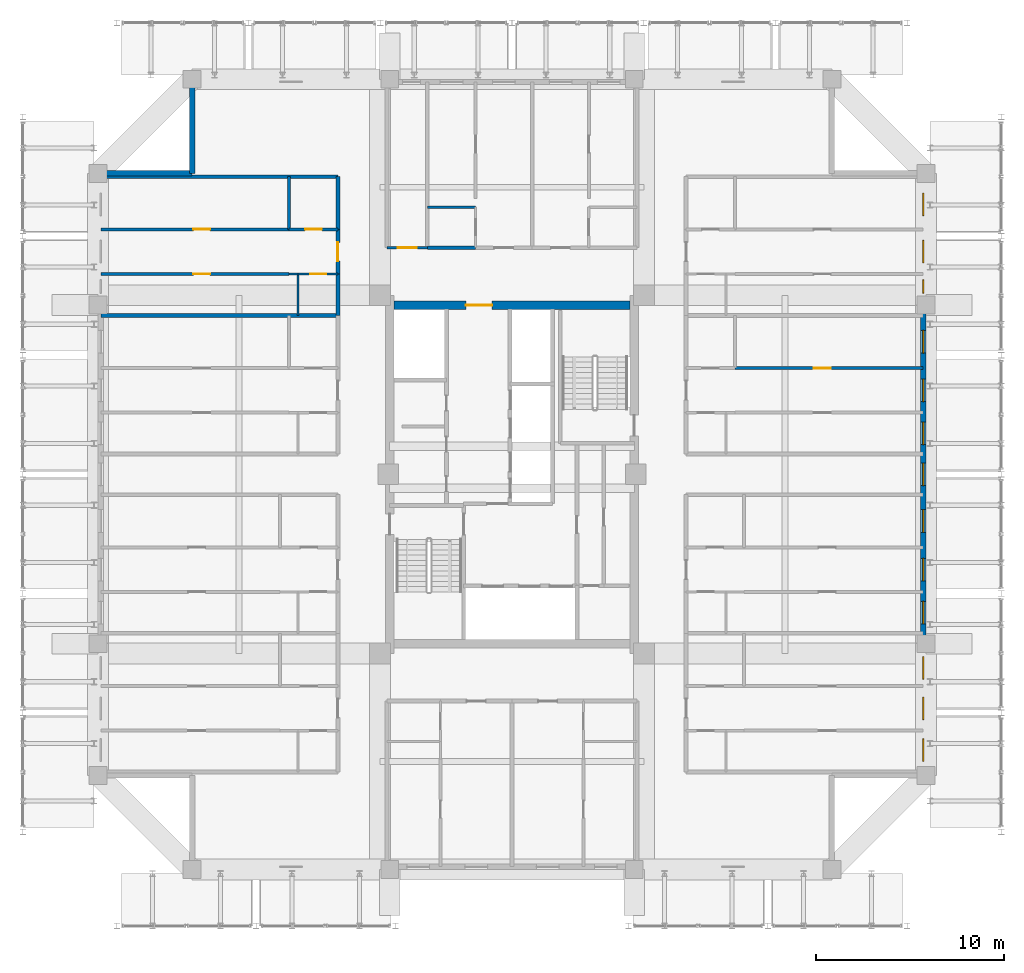
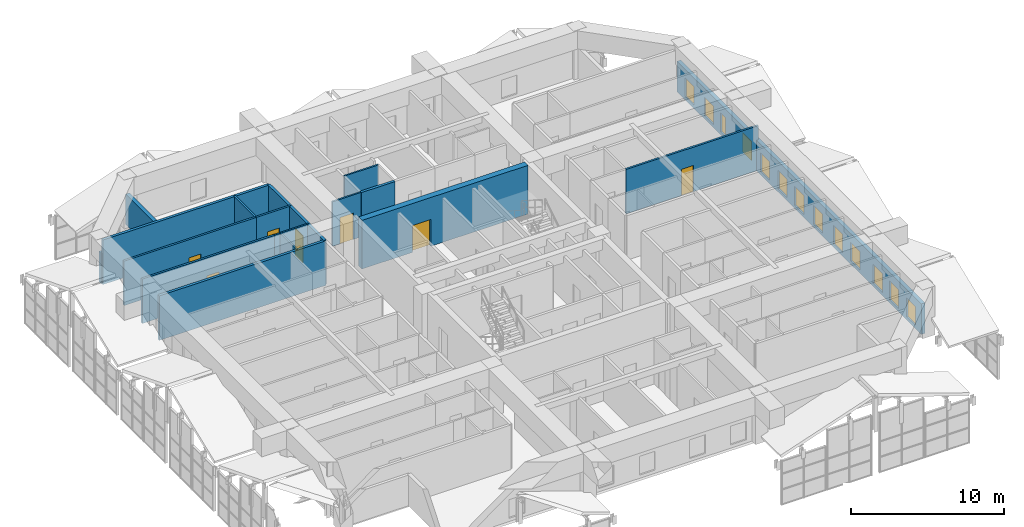
# One storey, part 41 of 45: 20 walls, 13 windows, 8 doors, 21 openings.
"""IFC4 building model written with IfcOpenShell, lengths in metres."""

from ifc_helpers import new_model, si_unit, direction, frame, frame_2d, origin, place, context, subcontext, project, spatial, rectangle, extrude, source, transform, mapped, material, layer, layer_set, type_object, element, fill, save


model = new_model("IFC4")

# Units and contexts
model_context = context("Model", 3, precision=1e-05, world=origin(), true_north=direction((0.0, 1.0)))
body_context = subcontext(model_context, "Body", "Model", "MODEL_VIEW")
ifc_project = project(units=[si_unit("LENGTHUNIT", "METRE"), si_unit("AREAUNIT", "SQUARE_METRE"), si_unit("VOLUMEUNIT", "CUBIC_METRE"), si_unit("PLANEANGLEUNIT", "RADIAN"), si_unit("MASSUNIT", "GRAM", prefix="KILO")], contexts=[model_context])

# Site, building, storey
site_placement = place(None, origin())
site = spatial("IfcSite", under=ifc_project, at=site_placement, CompositionType="ELEMENT")
building_placement = place(site_placement, origin())
building = spatial("IfcBuilding", under=site, at=building_placement, Name="Saelheon Loggia Tower", CompositionType="ELEMENT")
storey_placement = place(building_placement, frame((0.0, 0.0, 152.199951171875)))
storey = spatial("IfcBuildingStorey", under=building, at=storey_placement, Name="L48", CompositionType="ELEMENT", Elevation=152.199951171875)

# Wall, opening, door
ifc_material_1 = material(Name="Concrete C45/55", Category="concrete")
ifc_layer_1 = layer(ifc_material_1, 0.449951171875)
ifc_layer_set_1 = layer_set([ifc_layer_1], Name="Concrete C45/55")
wall_type_1 = type_object("IfcWallType", Name="Wall_CoreShear_450", PredefinedType="SHEAR", material=ifc_layer_set_1)
wall_1_placement = place(storey_placement, frame((31.72509765625, 36.0, 0.0), z_axis=(0.0, 0.0, 1.0), x_axis=(1.0, 0.0, 0.0)))
wall_1 = element("IfcWall", 1, at=wall_1_placement, inside=storey, type_object=wall_type_1, Name="L48 Core Shear Wall North", PredefinedType="SHEAR", context=body_context, shape_type="SweptSolid", body=[
    extrude(rectangle(XDim=12.5498046875, YDim=0.449951171875, at=frame_2d((6.27490234375, 0.0))), origin(), (0.0, 0.0, 1.0), 3.900146484375),
])
opening_1_placement = place(wall_1_placement, frame((5.224853515625, 0.0, 0.0), z_axis=(0.0, 0.0, 1.0), x_axis=(-1.0, 0.0, 0.0)))
opening_1 = element("IfcOpeningElement", 2, at=opening_1_placement, cuts=wall_1, Name="Opening D-FD2L", PredefinedType="OPENING", context=body_context, shape_type="SweptSolid", body=[
    extrude(rectangle(XDim=1.39990234375, YDim=2.14990234375, at=frame_2d((0.699951171875, 1.074951171875))), frame((0.0, 0.237060546875, 0.0), z_axis=(0.0, -1.0, 0.0), x_axis=(1.0, 0.0, 0.0)), (0.0, 0.0, 1.0), 0.473876953125),
])
ifc_material_2 = material(Name="Galvanised Steel Glazed Lobby Fire Door", Category="steel")
door_type_1 = type_object("IfcDoorType", Name="Door_Fire_FD60_1400", OperationType="NOTDEFINED", PredefinedType="DOOR", material=ifc_material_2)
shared_shape_1 = source(origin(), body_context, "Body", "SweptSolid", [
    extrude(rectangle(XDim=1.39990234375, YDim=2.14990234375, at=frame_2d((0.699951171875, 1.074951171875))), frame((0.0, 0.02490234375, 0.0), z_axis=(0.0, -1.0, 0.0), x_axis=(1.0, 0.0, 0.0)), (0.0, 0.0, 1.0), 0.050048828125),
])
door_1_placement = place(opening_1_placement, origin())
door_1 = element("IfcDoor", 3, at=door_1_placement, inside=storey, type_object=door_type_1, Name="L48 Passenger Lift Lobby Main Door", OperationType="SINGLE_SWING_RIGHT", OverallHeight=2.14990234375, OverallWidth=1.39990234375, PredefinedType="DOOR", context=body_context, shape_type="MappedRepresentation", body=[
    mapped(shared_shape_1, transform((0.0, 0.0, 0.0), scale=1.0)),
])
fill(opening_1, door_1)

# Wall, openings, windows
ifc_material_3 = material(Name="Architectural Precast Concrete C40/50", Category="concrete")
ifc_layer_2 = layer(ifc_material_3, 0.280029296875)
ifc_layer_set_2 = layer_set([ifc_layer_2], Name="Architectural Precast Concrete C40/50")
wall_type_2 = type_object("IfcWallType", Name="Wall_Ext_Loggia_280", PredefinedType="SOLIDWALL", material=ifc_layer_set_2)
wall_2_placement = place(storey_placement, frame((59.860107421875, 11.0, 0.0), z_axis=(0.0, 0.0, 1.0), x_axis=(0.0, 1.0, 0.0)))
wall_2 = element("IfcWall", 4, at=wall_2_placement, inside=storey, type_object=wall_type_2, Name="L48 East Loggia Inner Wall", PredefinedType="SOLIDWALL", context=body_context, shape_type="SweptSolid", body=[
    extrude(rectangle(XDim=32.0, YDim=0.280029296875, at=frame_2d((16.0, 0.0))), origin(), (0.0, 0.0, 1.0), 2.43994140625),
])
opening_2_placement = place(wall_2_placement, frame((0.74755859375, 0.0, 0.25)))
opening_2 = element("IfcOpeningElement", 5, at=opening_2_placement, cuts=wall_2, Name="Opening WN-03", PredefinedType="OPENING", context=body_context, shape_type="SweptSolid", body=[
    extrude(rectangle(XDim=1.199951171875, YDim=1.5, at=frame_2d((0.60009765625, 0.75))), frame((0.0, 0.152099609375, 0.0), z_axis=(0.0, -1.0, 0.0), x_axis=(1.0, 0.0, 0.0)), (0.0, 0.0, 1.0), 0.303955078125),
])
opening_3_placement = place(wall_2_placement, frame((2.964599609375, 0.0, 0.25)))
opening_3 = element("IfcOpeningElement", 6, at=opening_3_placement, cuts=wall_2, Name="Opening WN-03", PredefinedType="OPENING", context=body_context, shape_type="SweptSolid", body=[
    extrude(rectangle(XDim=1.199951171875, YDim=1.5, at=frame_2d((0.60009765625, 0.75))), frame((0.0, 0.152099609375, 0.0), z_axis=(0.0, -1.0, 0.0), x_axis=(1.0, 0.0, 0.0)), (0.0, 0.0, 1.0), 0.303955078125),
])
opening_4_placement = place(wall_2_placement, frame((5.1171875, 0.0, 0.25)))
opening_4 = element("IfcOpeningElement", 7, at=opening_4_placement, cuts=wall_2, Name="Opening WN-03", PredefinedType="OPENING", context=body_context, shape_type="SweptSolid", body=[
    extrude(rectangle(XDim=1.199951171875, YDim=1.5, at=frame_2d((0.60009765625, 0.75))), frame((0.0, 0.152099609375, 0.0), z_axis=(0.0, -1.0, 0.0), x_axis=(1.0, 0.0, 0.0)), (0.0, 0.0, 1.0), 0.303955078125),
])
opening_5_placement = place(wall_2_placement, frame((8.050048828125, 0.0, 0.25)))
opening_5 = element("IfcOpeningElement", 8, at=opening_5_placement, cuts=wall_2, Name="Opening WN-03", PredefinedType="OPENING", context=body_context, shape_type="SweptSolid", body=[
    extrude(rectangle(XDim=1.199951171875, YDim=1.5, at=frame_2d((0.60009765625, 0.75))), frame((0.0, 0.152099609375, 0.0), z_axis=(0.0, -1.0, 0.0), x_axis=(1.0, 0.0, 0.0)), (0.0, 0.0, 1.0), 0.303955078125),
])
opening_6_placement = place(wall_2_placement, frame((10.334716796875, 0.0, 0.25)))
opening_6 = element("IfcOpeningElement", 9, at=opening_6_placement, cuts=wall_2, Name="Opening WN-03", PredefinedType="OPENING", context=body_context, shape_type="SweptSolid", body=[
    extrude(rectangle(XDim=1.199951171875, YDim=1.5, at=frame_2d((0.60009765625, 0.75))), frame((0.0, 0.152099609375, 0.0), z_axis=(0.0, -1.0, 0.0), x_axis=(1.0, 0.0, 0.0)), (0.0, 0.0, 1.0), 0.303955078125),
])
opening_7_placement = place(wall_2_placement, frame((12.919677734375, 0.0, 0.25)))
opening_7 = element("IfcOpeningElement", 10, at=opening_7_placement, cuts=wall_2, Name="Opening WN-03", PredefinedType="OPENING", context=body_context, shape_type="SweptSolid", body=[
    extrude(rectangle(XDim=1.199951171875, YDim=1.5, at=frame_2d((0.60009765625, 0.75))), frame((0.0, 0.152099609375, 0.0), z_axis=(0.0, -1.0, 0.0), x_axis=(1.0, 0.0, 0.0)), (0.0, 0.0, 1.0), 0.303955078125),
])
opening_8_placement = place(wall_2_placement, frame((15.39990234375, 0.0, 0.25)))
opening_8 = element("IfcOpeningElement", 11, at=opening_8_placement, cuts=wall_2, Name="Opening WN-03", PredefinedType="OPENING", context=body_context, shape_type="SweptSolid", body=[
    extrude(rectangle(XDim=1.199951171875, YDim=1.5, at=frame_2d((0.60009765625, 0.75))), frame((0.0, 0.152099609375, 0.0), z_axis=(0.0, -1.0, 0.0), x_axis=(1.0, 0.0, 0.0)), (0.0, 0.0, 1.0), 0.303955078125),
])
opening_9_placement = place(wall_2_placement, frame((17.580078125, 0.0, 0.25)))
opening_9 = element("IfcOpeningElement", 12, at=opening_9_placement, cuts=wall_2, Name="Opening WN-03", PredefinedType="OPENING", context=body_context, shape_type="SweptSolid", body=[
    extrude(rectangle(XDim=1.199951171875, YDim=1.5, at=frame_2d((0.60009765625, 0.75))), frame((0.0, 0.152099609375, 0.0), z_axis=(0.0, -1.0, 0.0), x_axis=(1.0, 0.0, 0.0)), (0.0, 0.0, 1.0), 0.303955078125),
])
opening_10_placement = place(wall_2_placement, frame((19.86474609375, 0.0, 0.25)))
opening_10 = element("IfcOpeningElement", 13, at=opening_10_placement, cuts=wall_2, Name="Opening WN-03", PredefinedType="OPENING", context=body_context, shape_type="SweptSolid", body=[
    extrude(rectangle(XDim=1.199951171875, YDim=1.5, at=frame_2d((0.60009765625, 0.75))), frame((0.0, 0.152099609375, 0.0), z_axis=(0.0, -1.0, 0.0), x_axis=(1.0, 0.0, 0.0)), (0.0, 0.0, 1.0), 0.303955078125),
])
opening_11_placement = place(wall_2_placement, frame((22.44970703125, 0.0, 0.25)))
opening_11 = element("IfcOpeningElement", 14, at=opening_11_placement, cuts=wall_2, Name="Opening WN-03", PredefinedType="OPENING", context=body_context, shape_type="SweptSolid", body=[
    extrude(rectangle(XDim=1.199951171875, YDim=1.5, at=frame_2d((0.60009765625, 0.75))), frame((0.0, 0.152099609375, 0.0), z_axis=(0.0, -1.0, 0.0), x_axis=(1.0, 0.0, 0.0)), (0.0, 0.0, 1.0), 0.303955078125),
])
opening_12_placement = place(wall_2_placement, frame((25.632568359375, 0.0, 0.25)))
opening_12 = element("IfcOpeningElement", 15, at=opening_12_placement, cuts=wall_2, Name="Opening WN-06", PredefinedType="OPENING", context=body_context, shape_type="SweptSolid", body=[
    extrude(rectangle(XDim=0.699951171875, YDim=1.5, at=frame_2d((0.35009765625, 0.75))), frame((0.0, 0.152099609375, 0.0), z_axis=(0.0, -1.0, 0.0), x_axis=(1.0, 0.0, 0.0)), (0.0, 0.0, 1.0), 0.303955078125),
])
opening_13_placement = place(wall_2_placement, frame((27.234619140625, 0.0, 0.25)))
opening_13 = element("IfcOpeningElement", 16, at=opening_13_placement, cuts=wall_2, Name="Opening WN-03", PredefinedType="OPENING", context=body_context, shape_type="SweptSolid", body=[
    extrude(rectangle(XDim=1.199951171875, YDim=1.5, at=frame_2d((0.60009765625, 0.75))), frame((0.0, 0.152099609375, 0.0), z_axis=(0.0, -1.0, 0.0), x_axis=(1.0, 0.0, 0.0)), (0.0, 0.0, 1.0), 0.303955078125),
])
opening_14_placement = place(wall_2_placement, frame((29.752197265625, 0.0, 0.25)))
opening_14 = element("IfcOpeningElement", 17, at=opening_14_placement, cuts=wall_2, Name="Opening WN-03", PredefinedType="OPENING", context=body_context, shape_type="SweptSolid", body=[
    extrude(rectangle(XDim=1.199951171875, YDim=1.5, at=frame_2d((0.60009765625, 0.75))), frame((0.0, 0.152099609375, 0.0), z_axis=(0.0, -1.0, 0.0), x_axis=(1.0, 0.0, 0.0)), (0.0, 0.0, 1.0), 0.303955078125),
])
ifc_material_4 = material(Name="Thermal-Break Aluminium and Triple Low-E Glass", Category="aluminium")
window_type_1 = type_object("IfcWindowType", Name="Win_Slot_700x1500", PartitioningType="SINGLE_PANEL", PredefinedType="WINDOW", material=ifc_material_4)
shared_shape_2 = source(origin(), body_context, "Body", "SweptSolid", [
    extrude(rectangle(XDim=0.699951171875, YDim=1.5, at=frame_2d((0.35009765625, 0.75))), frame((0.0, 0.030029296875, 0.0), z_axis=(0.0, -1.0, 0.0), x_axis=(1.0, 0.0, 0.0)), (0.0, 0.0, 1.0), 0.06005859375),
])
window_1_placement = place(opening_12_placement, origin())
window_1 = element("IfcWindow", 18, at=window_1_placement, inside=storey, type_object=window_type_1, Name="L48 E Dwelling Window 11", OverallHeight=1.5, OverallWidth=0.699951171875, PartitioningType="SINGLE_PANEL", PredefinedType="WINDOW", context=body_context, shape_type="MappedRepresentation", body=[
    mapped(shared_shape_2, transform((0.0, 0.0, 0.0), scale=1.0)),
])
fill(opening_12, window_1)
window_type_2 = type_object("IfcWindowType", Name="Win_Bedroom_1200x1500", PartitioningType="SINGLE_PANEL", PredefinedType="WINDOW", material=ifc_material_4)
shared_shape_3 = source(origin(), body_context, "Body", "SweptSolid", [
    extrude(rectangle(XDim=1.199951171875, YDim=1.5, at=frame_2d((0.60009765625, 0.75))), frame((0.0, 0.030029296875, 0.0), z_axis=(0.0, -1.0, 0.0), x_axis=(1.0, 0.0, 0.0)), (0.0, 0.0, 1.0), 0.06005859375),
])
window_2_placement = place(opening_2_placement, origin())
window_2 = element("IfcWindow", 19, at=window_2_placement, inside=storey, type_object=window_type_2, Name="L48 E Dwelling Window 1", OverallHeight=1.5, OverallWidth=1.199951171875, PartitioningType="SINGLE_PANEL", PredefinedType="WINDOW", context=body_context, shape_type="MappedRepresentation", body=[
    mapped(shared_shape_3, transform((0.0, 0.0, 0.0), scale=1.0)),
])
fill(opening_2, window_2)
window_3_placement = place(opening_3_placement, origin())
window_3 = element("IfcWindow", 20, at=window_3_placement, inside=storey, type_object=window_type_2, Name="L48 E Dwelling Window 2", OverallHeight=1.5, OverallWidth=1.199951171875, PartitioningType="SINGLE_PANEL", PredefinedType="WINDOW", context=body_context, shape_type="MappedRepresentation", body=[
    mapped(shared_shape_3, transform((0.0, 0.0, 0.0), scale=1.0)),
])
fill(opening_3, window_3)
window_4_placement = place(opening_4_placement, origin())
window_4 = element("IfcWindow", 21, at=window_4_placement, inside=storey, type_object=window_type_2, Name="L48 E Dwelling Window 3", OverallHeight=1.5, OverallWidth=1.199951171875, PartitioningType="SINGLE_PANEL", PredefinedType="WINDOW", context=body_context, shape_type="MappedRepresentation", body=[
    mapped(shared_shape_3, transform((0.0, 0.0, 0.0), scale=1.0)),
])
fill(opening_4, window_4)
window_5_placement = place(opening_5_placement, origin())
window_5 = element("IfcWindow", 22, at=window_5_placement, inside=storey, type_object=window_type_2, Name="L48 E Dwelling Window 4", OverallHeight=1.5, OverallWidth=1.199951171875, PartitioningType="SINGLE_PANEL", PredefinedType="WINDOW", context=body_context, shape_type="MappedRepresentation", body=[
    mapped(shared_shape_3, transform((0.0, 0.0, 0.0), scale=1.0)),
])
fill(opening_5, window_5)
window_6_placement = place(opening_6_placement, origin())
window_6 = element("IfcWindow", 23, at=window_6_placement, inside=storey, type_object=window_type_2, Name="L48 E Dwelling Window 5", OverallHeight=1.5, OverallWidth=1.199951171875, PartitioningType="SINGLE_PANEL", PredefinedType="WINDOW", context=body_context, shape_type="MappedRepresentation", body=[
    mapped(shared_shape_3, transform((0.0, 0.0, 0.0), scale=1.0)),
])
fill(opening_6, window_6)
window_7_placement = place(opening_7_placement, origin())
window_7 = element("IfcWindow", 24, at=window_7_placement, inside=storey, type_object=window_type_2, Name="L48 E Dwelling Window 6", OverallHeight=1.5, OverallWidth=1.199951171875, PartitioningType="SINGLE_PANEL", PredefinedType="WINDOW", context=body_context, shape_type="MappedRepresentation", body=[
    mapped(shared_shape_3, transform((0.0, 0.0, 0.0), scale=1.0)),
])
fill(opening_7, window_7)
window_8_placement = place(opening_8_placement, origin())
window_8 = element("IfcWindow", 25, at=window_8_placement, inside=storey, type_object=window_type_2, Name="L48 E Dwelling Window 7", OverallHeight=1.5, OverallWidth=1.199951171875, PartitioningType="SINGLE_PANEL", PredefinedType="WINDOW", context=body_context, shape_type="MappedRepresentation", body=[
    mapped(shared_shape_3, transform((0.0, 0.0, 0.0), scale=1.0)),
])
fill(opening_8, window_8)
window_9_placement = place(opening_9_placement, origin())
window_9 = element("IfcWindow", 26, at=window_9_placement, inside=storey, type_object=window_type_2, Name="L48 E Dwelling Window 8", OverallHeight=1.5, OverallWidth=1.199951171875, PartitioningType="SINGLE_PANEL", PredefinedType="WINDOW", context=body_context, shape_type="MappedRepresentation", body=[
    mapped(shared_shape_3, transform((0.0, 0.0, 0.0), scale=1.0)),
])
fill(opening_9, window_9)
window_10_placement = place(opening_10_placement, origin())
window_10 = element("IfcWindow", 27, at=window_10_placement, inside=storey, type_object=window_type_2, Name="L48 E Dwelling Window 9", OverallHeight=1.5, OverallWidth=1.199951171875, PartitioningType="SINGLE_PANEL", PredefinedType="WINDOW", context=body_context, shape_type="MappedRepresentation", body=[
    mapped(shared_shape_3, transform((0.0, 0.0, 0.0), scale=1.0)),
])
fill(opening_10, window_10)
window_11_placement = place(opening_11_placement, origin())
window_11 = element("IfcWindow", 28, at=window_11_placement, inside=storey, type_object=window_type_2, Name="L48 E Dwelling Window 10", OverallHeight=1.5, OverallWidth=1.199951171875, PartitioningType="SINGLE_PANEL", PredefinedType="WINDOW", context=body_context, shape_type="MappedRepresentation", body=[
    mapped(shared_shape_3, transform((0.0, 0.0, 0.0), scale=1.0)),
])
fill(opening_11, window_11)
window_12_placement = place(opening_13_placement, origin())
window_12 = element("IfcWindow", 29, at=window_12_placement, inside=storey, type_object=window_type_2, Name="L48 E Dwelling Window 12", OverallHeight=1.5, OverallWidth=1.199951171875, PartitioningType="SINGLE_PANEL", PredefinedType="WINDOW", context=body_context, shape_type="MappedRepresentation", body=[
    mapped(shared_shape_3, transform((0.0, 0.0, 0.0), scale=1.0)),
])
fill(opening_13, window_12)
window_13_placement = place(opening_14_placement, origin())
window_13 = element("IfcWindow", 30, at=window_13_placement, inside=storey, type_object=window_type_2, Name="L48 E Dwelling Window 13", OverallHeight=1.5, OverallWidth=1.199951171875, PartitioningType="SINGLE_PANEL", PredefinedType="WINDOW", context=body_context, shape_type="MappedRepresentation", body=[
    mapped(shared_shape_3, transform((0.0, 0.0, 0.0), scale=1.0)),
])
fill(opening_14, window_13)

# Walls
for number, where, z_axis, x_axis, name in (
    (31, (21.0, 43.0, 0.0), (0.0, 0.0, 1.0), (0.0, 1.0, 0.0), "L48 Corner Notch Precast Wall NW1"),
    (32, (16.080078125, 43.0, 0.0), (0.0, 0.0, 1.0), (1.0, 0.0, 0.0), "L48 Corner Notch Precast Wall NW2"),
):
    element("IfcWall", number, at=place(storey_placement, frame(where, z_axis=z_axis, x_axis=x_axis)), inside=storey, type_object=wall_type_2, Name=name, PredefinedType="SOLIDWALL", context=body_context, shape_type="SweptSolid", body=[
        extrude(rectangle(XDim=4.919921875, YDim=0.280029296875, at=frame_2d((2.4599609375, 0.0))), origin(), (0.0, 0.0, 1.0), 2.43994140625),
    ])
ifc_material_5 = material(Name="Lightweight Autoclaved Aerated Concrete Block and Acoustic Gypsum", Category="concrete")
ifc_layer_3 = layer(ifc_material_5, 0.14990234375)
ifc_layer_set_3 = layer_set([ifc_layer_3], Name="Lightweight Autoclaved Aerated Concrete Block and Acoustic Gypsum")
wall_type_3 = type_object("IfcWallType", Name="Wall_Part_150", PredefinedType="PARTITIONING", material=ifc_layer_set_3)
wall_3_placement = place(storey_placement, frame((26.14990234375, 40.019287109375, 0.0), z_axis=(0.0, 0.0, 1.0), x_axis=(0.0, 1.0, 0.0)))
element("IfcWall", 33, at=wall_3_placement, inside=storey, type_object=wall_type_3, Name="L48 WN Partition V18", PredefinedType="PARTITIONING", context=body_context, shape_type="SweptSolid", body=[
    extrude(rectangle(XDim=2.80078125, YDim=0.14990234375, at=frame_2d((1.400390625, 0.0))), origin(), (0.0, 0.0, 1.0), 3.56005859375),
])

# Wall, opening, door
wall_4_placement = place(storey_placement, frame((26.14990234375, 37.64990234375, 0.0), z_axis=(0.0, 0.0, 1.0), x_axis=(-1.0, 0.0, 0.0)))
wall_4 = element("IfcWall", 34, at=wall_4_placement, inside=storey, type_object=wall_type_3, Name="L48 WN Partition U21", PredefinedType="PARTITIONING", context=body_context, shape_type="SweptSolid", body=[
    extrude(rectangle(XDim=10.0, YDim=0.14990234375, at=frame_2d((5.0, 0.0))), origin(), (0.0, 0.0, 1.0), 3.56005859375),
])
opening_15_placement = place(wall_4_placement, frame((4.19091796875, 0.0, 0.0)))
opening_15 = element("IfcOpeningElement", 35, at=opening_15_placement, cuts=wall_4, Name="Opening D-IN2", PredefinedType="OPENING", context=body_context, shape_type="SweptSolid", body=[
    extrude(rectangle(XDim=0.89990234375, YDim=2.10009765625, at=frame_2d((0.449951171875, 1.050048828125))), frame((0.0, 0.0869140625, 0.0), z_axis=(0.0, -1.0, 0.0), x_axis=(1.0, 0.0, 0.0)), (0.0, 0.0, 1.0), 0.173828125),
])
ifc_material_6 = material(Name="Engineered Oak Flush Door", Category="timber")
door_type_2 = type_object("IfcDoorType", Name="Door_Int_900", OperationType="NOTDEFINED", PredefinedType="DOOR", material=ifc_material_6)
shared_shape_4 = source(origin(), body_context, "Body", "SweptSolid", [
    extrude(rectangle(XDim=0.89990234375, YDim=2.10009765625, at=frame_2d((0.449951171875, 1.050048828125))), frame((0.0, 0.02490234375, 0.0), z_axis=(0.0, -1.0, 0.0), x_axis=(1.0, 0.0, 0.0)), (0.0, 0.0, 1.0), 0.050048828125),
])
door_2_placement = place(opening_15_placement, origin())
door_2 = element("IfcDoor", 36, at=door_2_placement, inside=storey, type_object=door_type_2, Name="Unit U08 Kitchen Door", OperationType="SINGLE_SWING_LEFT", OverallHeight=2.10009765625, OverallWidth=0.89990234375, PredefinedType="DOOR", context=body_context, shape_type="MappedRepresentation", body=[
    mapped(shared_shape_4, transform((0.0, 0.0, 0.0), scale=1.0)),
])
fill(opening_15, door_2)

wall_5_placement = place(storey_placement, frame((28.75, 40.019287109375, 0.0), z_axis=(0.0, 0.0, 1.0), x_axis=(-1.0, 0.0, 0.0)))
wall_5 = element("IfcWall", 37, at=wall_5_placement, inside=storey, type_object=wall_type_3, Name="L48 WN Partition U22", PredefinedType="PARTITIONING", context=body_context, shape_type="SweptSolid", body=[
    extrude(rectangle(XDim=2.60009765625, YDim=0.14990234375, at=frame_2d((1.300048828125, 0.0))), origin(), (0.0, 0.0, 1.0), 3.56005859375),
])
opening_16_placement = place(wall_5_placement, frame((0.85009765625, 0.0, 0.0)))
opening_16 = element("IfcOpeningElement", 38, at=opening_16_placement, cuts=wall_5, Name="Opening D-IN2", PredefinedType="OPENING", context=body_context, shape_type="SweptSolid", body=[
    extrude(rectangle(XDim=0.89990234375, YDim=2.10009765625, at=frame_2d((0.449951171875, 1.050048828125))), frame((0.0, 0.0869140625, 0.0), z_axis=(0.0, -1.0, 0.0), x_axis=(1.0, 0.0, 0.0)), (0.0, 0.0, 1.0), 0.173828125),
])
door_3_placement = place(opening_16_placement, origin())
door_3 = element("IfcDoor", 39, at=door_3_placement, inside=storey, type_object=door_type_2, Name="Unit U08 Dressing Closet Door", OperationType="SINGLE_SWING_RIGHT", OverallHeight=2.10009765625, OverallWidth=0.89990234375, PredefinedType="DOOR", context=body_context, shape_type="MappedRepresentation", body=[
    mapped(shared_shape_4, transform((0.0, 0.0, 0.0), scale=1.0)),
])
fill(opening_16, door_3)

wall_6_placement = place(storey_placement, frame((26.14990234375, 40.019287109375, 0.0), z_axis=(0.0, 0.0, 1.0), x_axis=(-1.0, 0.0, 0.0)))
wall_6 = element("IfcWall", 40, at=wall_6_placement, inside=storey, type_object=wall_type_3, Name="L48 WN Partition U23", PredefinedType="PARTITIONING", context=body_context, shape_type="SweptSolid", body=[
    extrude(rectangle(XDim=10.0, YDim=0.14990234375, at=frame_2d((5.0, 0.0))), origin(), (0.0, 0.0, 1.0), 3.56005859375),
])
opening_17_placement = place(wall_6_placement, frame((4.19091796875, 0.0, 0.0)))
opening_17 = element("IfcOpeningElement", 41, at=opening_17_placement, cuts=wall_6, Name="Opening D-IN2", PredefinedType="OPENING", context=body_context, shape_type="SweptSolid", body=[
    extrude(rectangle(XDim=0.89990234375, YDim=2.10009765625, at=frame_2d((0.449951171875, 1.050048828125))), frame((0.0, 0.0869140625, 0.0), z_axis=(0.0, -1.0, 0.0), x_axis=(1.0, 0.0, 0.0)), (0.0, 0.0, 1.0), 0.173828125),
])
door_4_placement = place(opening_17_placement, origin())
door_4 = element("IfcDoor", 42, at=door_4_placement, inside=storey, type_object=door_type_2, Name="Unit U08 Bedroom 1 Door", OperationType="SINGLE_SWING_LEFT", OverallHeight=2.10009765625, OverallWidth=0.89990234375, PredefinedType="DOOR", context=body_context, shape_type="MappedRepresentation", body=[
    mapped(shared_shape_4, transform((0.0, 0.0, 0.0), scale=1.0)),
])
fill(opening_17, door_4)

wall_7_placement = place(storey_placement, frame((49.85009765625, 32.6494140625, 0.0), z_axis=(0.0, 0.0, 1.0), x_axis=(1.0, 0.0, 0.0)))
wall_7 = element("IfcWall", 43, at=wall_7_placement, inside=storey, type_object=wall_type_3, Name="L48 EN Partition U12", PredefinedType="PARTITIONING", context=body_context, shape_type="SweptSolid", body=[
    extrude(rectangle(XDim=10.0, YDim=0.14990234375, at=frame_2d((5.0, 0.0))), origin(), (0.0, 0.0, 1.0), 3.56005859375),
])
opening_18_placement = place(wall_7_placement, frame((4.19091796875, 0.0, 0.0)))
opening_18 = element("IfcOpeningElement", 44, at=opening_18_placement, cuts=wall_7, Name="Opening D-IN2", PredefinedType="OPENING", context=body_context, shape_type="SweptSolid", body=[
    extrude(rectangle(XDim=0.89990234375, YDim=2.10009765625, at=frame_2d((0.449951171875, 1.050048828125))), frame((0.0, 0.0869140625, 0.0), z_axis=(0.0, -1.0, 0.0), x_axis=(1.0, 0.0, 0.0)), (0.0, 0.0, 1.0), 0.173828125),
])
door_5_placement = place(opening_18_placement, origin())
door_5 = element("IfcDoor", 45, at=door_5_placement, inside=storey, type_object=door_type_2, Name="Unit U11 Bedroom 1 Door", OperationType="SINGLE_SWING_RIGHT", OverallHeight=2.10009765625, OverallWidth=0.89990234375, PredefinedType="DOOR", context=body_context, shape_type="MappedRepresentation", body=[
    mapped(shared_shape_4, transform((0.0, 0.0, 0.0), scale=1.0)),
])
fill(opening_18, door_5)

# Walls
ifc_material_7 = material(Name="Double Acoustic Stud and Fireboard Partition", Category="gypsum")
ifc_layer_4 = layer(ifc_material_7, 0.199951171875)
ifc_layer_set_4 = layer_set([ifc_layer_4], Name="Double Acoustic Stud and Fireboard Partition")
wall_type_4 = type_object("IfcWallType", Name="Wall_Party_200", PredefinedType="PARTITIONING", material=ifc_layer_set_4)
wall_8_placement = place(storey_placement, frame((33.5, 39.050048828125, 0.0), z_axis=(0.0, 0.0, 1.0), x_axis=(1.0, 0.0, 0.0)))
element("IfcWall", 46, at=wall_8_placement, inside=storey, type_object=wall_type_4, Name="L48 N Partition V05", PredefinedType="PARTITIONING", context=body_context, shape_type="SweptSolid", body=[
    extrude(rectangle(XDim=2.564453125, YDim=0.199951171875, at=frame_2d((1.2822265625, 0.0))), origin(), (0.0, 0.0, 1.0), 3.56005859375),
])
for number, where, z_axis, x_axis, name in (
    (47, (28.75, 42.820068359375, 0.0), (0.0, 0.0, 1.0), (-1.0, 0.0, 0.0), "L48 WN Partition U02"),
    (48, (28.75, 35.449951171875, 0.0), (0.0, 0.0, 1.0), (-1.0, 0.0, 0.0), "L48 WN Partition U13"),
):
    element("IfcWall", number, at=place(storey_placement, frame(where, z_axis=z_axis, x_axis=x_axis)), inside=storey, type_object=wall_type_4, Name=name, PredefinedType="PARTITIONING", context=body_context, shape_type="SweptSolid", body=[
        extrude(rectangle(XDim=12.60009765625, YDim=0.199951171875, at=frame_2d((6.300048828125, 0.0))), origin(), (0.0, 0.0, 1.0), 3.56005859375),
    ])
wall_9_placement = place(storey_placement, frame((28.75, 35.449951171875, 0.0), z_axis=(0.0, 0.0, 1.0), x_axis=(0.0, 1.0, 0.0)))
element("IfcWall", 49, at=wall_9_placement, inside=storey, type_object=wall_type_4, Name="L48 WN Partition V14", PredefinedType="PARTITIONING", context=body_context, shape_type="SweptSolid", body=[
    extrude(rectangle(XDim=2.199951171875, YDim=0.199951171875, at=frame_2d((1.10009765625, 0.0))), origin(), (0.0, 0.0, 1.0), 3.56005859375),
])

# Wall, opening, door
wall_10_placement = place(storey_placement, frame((28.75, 37.64990234375, 0.0), z_axis=(0.0, 0.0, 1.0), x_axis=(0.0, 1.0, 0.0)))
wall_10 = element("IfcWall", 50, at=wall_10_placement, inside=storey, type_object=wall_type_4, Name="L48 WN Partition V15", PredefinedType="PARTITIONING", context=body_context, shape_type="SweptSolid", body=[
    extrude(rectangle(XDim=2.369384765625, YDim=0.199951171875, at=frame_2d((1.1845703125, 0.0))), origin(), (0.0, 0.0, 1.0), 3.56005859375),
])
opening_19_placement = place(wall_10_placement, frame((0.684814453125, 0.0, 0.0)))
opening_19 = element("IfcOpeningElement", 51, at=opening_19_placement, cuts=wall_10, Name="Opening D-FD1", PredefinedType="OPENING", context=body_context, shape_type="SweptSolid", body=[
    extrude(rectangle(XDim=1.0, YDim=2.14990234375, at=frame_2d((0.5, 1.074951171875))), frame((0.0, 0.112060546875, 0.0), z_axis=(0.0, -1.0, 0.0), x_axis=(1.0, 0.0, 0.0)), (0.0, 0.0, 1.0), 0.223876953125),
])
ifc_material_8 = material(Name="Fire-Rated Engineered Timber Entrance Door", Category="wood")
door_type_3 = type_object("IfcDoorType", Name="Door_Flat_FD30S", OperationType="NOTDEFINED", PredefinedType="DOOR", material=ifc_material_8)
shared_shape_5 = source(origin(), body_context, "Body", "SweptSolid", [
    extrude(rectangle(XDim=1.0, YDim=2.14990234375, at=frame_2d((0.5, 1.074951171875))), frame((0.0, 0.02490234375, 0.0), z_axis=(0.0, -1.0, 0.0), x_axis=(1.0, 0.0, 0.0)), (0.0, 0.0, 1.0), 0.050048828125),
])
door_6_placement = place(opening_19_placement, origin())
door_6 = element("IfcDoor", 52, at=door_6_placement, inside=storey, type_object=door_type_3, Name="Unit U08 Entrance Door", OperationType="SINGLE_SWING_LEFT", OverallHeight=2.14990234375, OverallWidth=1.0, PredefinedType="DOOR", context=body_context, shape_type="MappedRepresentation", body=[
    mapped(shared_shape_5, transform((0.0, 0.0, 0.0), scale=1.0)),
])
fill(opening_19, door_6)

# Wall
wall_11_placement = place(storey_placement, frame((28.75, 40.019287109375, 0.0), z_axis=(0.0, 0.0, 1.0), x_axis=(0.0, 1.0, 0.0)))
element("IfcWall", 53, at=wall_11_placement, inside=storey, type_object=wall_type_4, Name="L48 WN Partition V16", PredefinedType="PARTITIONING", context=body_context, shape_type="SweptSolid", body=[
    extrude(rectangle(XDim=2.80078125, YDim=0.199951171875, at=frame_2d((1.400390625, 0.0))), origin(), (0.0, 0.0, 1.0), 3.56005859375),
])

# Wall, opening, door
ifc_material_9 = material(Name="Moisture-Resistant Cement Board Partition", Category="gypsum")
ifc_layer_5 = layer(ifc_material_9, 0.1201171875)
ifc_layer_set_5 = layer_set([ifc_layer_5], Name="Moisture-Resistant Cement Board Partition")
wall_type_5 = type_object("IfcWallType", Name="Wall_WetPart_120", PredefinedType="PARTITIONING", material=ifc_layer_set_5)
wall_12_placement = place(storey_placement, frame((31.35009765625, 39.050048828125, 0.0), z_axis=(0.0, 0.0, 1.0), x_axis=(1.0, 0.0, 0.0)))
wall_12 = element("IfcWall", 54, at=wall_12_placement, inside=storey, type_object=wall_type_5, Name="L48 N Partition V04", PredefinedType="PARTITIONING", context=body_context, shape_type="SweptSolid", body=[
    extrude(rectangle(XDim=2.14990234375, YDim=0.1201171875, at=frame_2d((1.074951171875, 0.0))), origin(), (0.0, 0.0, 1.0), 3.56005859375),
])
opening_20_placement = place(wall_12_placement, frame((0.574951171875, 0.0, 0.0)))
opening_20 = element("IfcOpeningElement", 55, at=opening_20_placement, cuts=wall_12, Name="Opening D-AC1", PredefinedType="OPENING", context=body_context, shape_type="SweptSolid", body=[
    extrude(rectangle(XDim=1.0, YDim=2.10009765625, at=frame_2d((0.5, 1.050048828125))), frame((0.0, 0.072021484375, 0.0), z_axis=(0.0, -1.0, 0.0), x_axis=(1.0, 0.0, 0.0)), (0.0, 0.0, 1.0), 0.14404296875),
])
ifc_material_10 = material(Name="Accessible Laminate Flush Door", Category="timber")
door_type_4 = type_object("IfcDoorType", Name="Door_Acc_1000", OperationType="NOTDEFINED", PredefinedType="DOOR", material=ifc_material_10)
shared_shape_6 = source(origin(), body_context, "Body", "SweptSolid", [
    extrude(rectangle(XDim=1.0, YDim=2.10009765625, at=frame_2d((0.5, 1.050048828125))), frame((0.0, 0.02490234375, 0.0), z_axis=(0.0, -1.0, 0.0), x_axis=(1.0, 0.0, 0.0)), (0.0, 0.0, 1.0), 0.050048828125),
])
door_7_placement = place(opening_20_placement, origin())
door_7 = element("IfcDoor", 56, at=door_7_placement, inside=storey, type_object=door_type_4, Name="L48 Floor Accessible WC Door", OperationType="SINGLE_SWING_LEFT", OverallHeight=2.10009765625, OverallWidth=1.0, PredefinedType="DOOR", context=body_context, shape_type="MappedRepresentation", body=[
    mapped(shared_shape_6, transform((0.0, 0.0, 0.0), scale=1.0)),
])
fill(opening_20, door_7)

# Walls
wall_13_placement = place(storey_placement, frame((33.5, 41.199951171875, 0.0), z_axis=(0.0, 0.0, 1.0), x_axis=(1.0, 0.0, 0.0)))
element("IfcWall", 57, at=wall_13_placement, inside=storey, type_object=wall_type_5, Name="L48 N Partition V08", PredefinedType="PARTITIONING", context=body_context, shape_type="SweptSolid", body=[
    extrude(rectangle(XDim=2.564453125, YDim=0.1201171875, at=frame_2d((1.2822265625, 0.0))), origin(), (0.0, 0.0, 1.0), 3.56005859375),
])
wall_14_placement = place(storey_placement, frame((26.6298828125, 35.449951171875, 0.0), z_axis=(0.0, 0.0, 1.0), x_axis=(0.0, 1.0, 0.0)))
element("IfcWall", 58, at=wall_14_placement, inside=storey, type_object=wall_type_5, Name="L48 WN Partition V17", PredefinedType="PARTITIONING", context=body_context, shape_type="SweptSolid", body=[
    extrude(rectangle(XDim=2.199951171875, YDim=0.1201171875, at=frame_2d((1.10009765625, 0.0))), origin(), (0.0, 0.0, 1.0), 3.56005859375),
])

# Wall, opening, door
wall_15_placement = place(storey_placement, frame((28.75, 37.64990234375, 0.0), z_axis=(0.0, 0.0, 1.0), x_axis=(-1.0, 0.0, 0.0)))
wall_15 = element("IfcWall", 59, at=wall_15_placement, inside=storey, type_object=wall_type_5, Name="L48 WN Partition U19", PredefinedType="PARTITIONING", context=body_context, shape_type="SweptSolid", body=[
    extrude(rectangle(XDim=2.1201171875, YDim=0.1201171875, at=frame_2d((1.06005859375, 0.0))), origin(), (0.0, 0.0, 1.0), 3.56005859375),
])
opening_21_placement = place(wall_15_placement, frame((0.635009765625, 0.0, 0.0)))
opening_21 = element("IfcOpeningElement", 60, at=opening_21_placement, cuts=wall_15, Name="Opening D-BT1", PredefinedType="OPENING", context=body_context, shape_type="SweptSolid", body=[
    extrude(rectangle(XDim=0.85009765625, YDim=2.050048828125, at=frame_2d((0.425048828125, 1.02490234375))), frame((0.0, 0.072021484375, 0.0), z_axis=(0.0, -1.0, 0.0), x_axis=(1.0, 0.0, 0.0)), (0.0, 0.0, 1.0), 0.14404296875),
])
ifc_material_11 = material(Name="Moisture-Resistant Laminate Timber Door", Category="wood")
door_type_5 = type_object("IfcDoorType", Name="Door_Bath_850", OperationType="NOTDEFINED", PredefinedType="DOOR", material=ifc_material_11)
shared_shape_7 = source(origin(), body_context, "Body", "SweptSolid", [
    extrude(rectangle(XDim=0.85009765625, YDim=2.050048828125, at=frame_2d((0.425048828125, 1.02490234375))), frame((0.0, 0.02490234375, 0.0), z_axis=(0.0, -1.0, 0.0), x_axis=(1.0, 0.0, 0.0)), (0.0, 0.0, 1.0), 0.050048828125),
])
door_8_placement = place(opening_21_placement, origin())
door_8 = element("IfcDoor", 61, at=door_8_placement, inside=storey, type_object=door_type_5, Name="Unit U08 Bathroom Door", OperationType="SINGLE_SWING_RIGHT", OverallHeight=2.050048828125, OverallWidth=0.85009765625, PredefinedType="DOOR", context=body_context, shape_type="MappedRepresentation", body=[
    mapped(shared_shape_7, transform((0.0, 0.0, 0.0), scale=1.0)),
])
fill(opening_21, door_8)

# Wall
wall_16_placement = place(storey_placement, frame((26.6298828125, 37.64990234375, 0.0), z_axis=(0.0, 0.0, 1.0), x_axis=(-1.0, 0.0, 0.0)))
element("IfcWall", 62, at=wall_16_placement, inside=storey, type_object=wall_type_5, Name="L48 WN Partition U20", PredefinedType="PARTITIONING", context=body_context, shape_type="SweptSolid", body=[
    extrude(rectangle(XDim=0.47998046875, YDim=0.1201171875, at=frame_2d((0.239990234375, 0.0))), origin(), (0.0, 0.0, 1.0), 3.56005859375),
])

save(model, "model.ifc")
